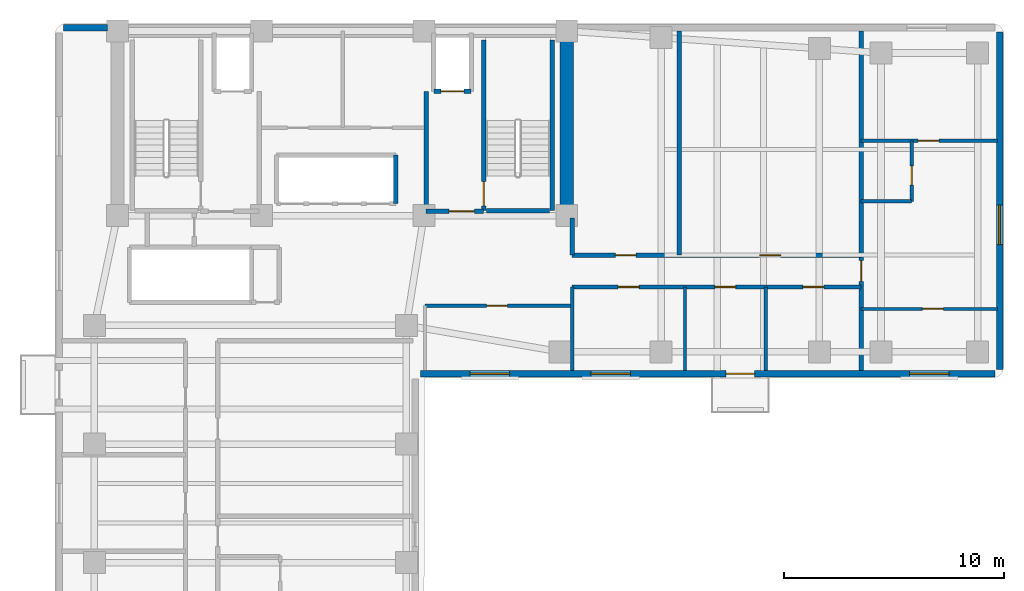
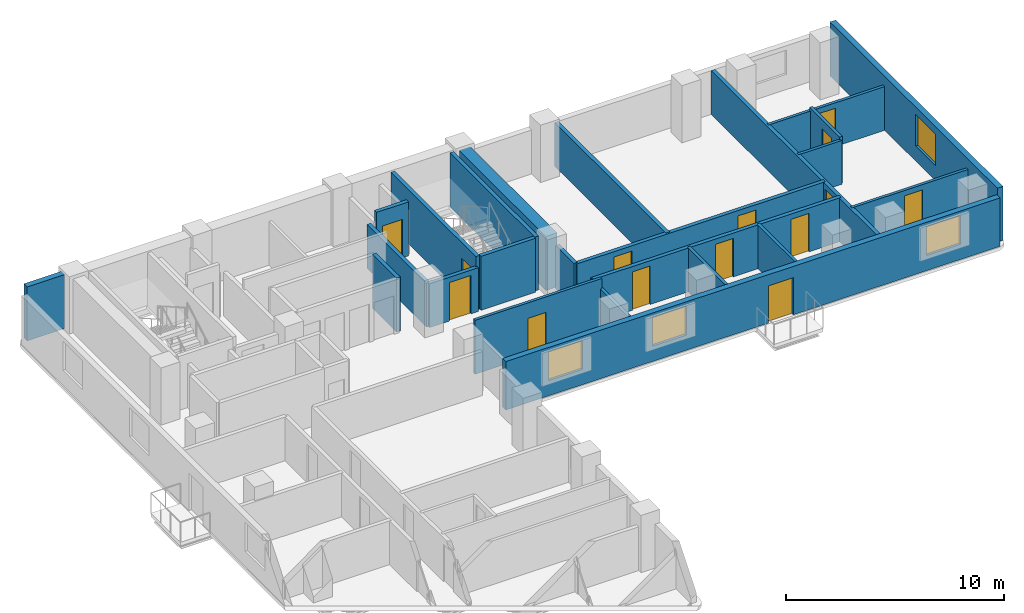
# One storey, part 4 of 7: 24 walls, 14 doors, 4 windows, 18 openings.
"""IFC4 building model written with IfcOpenShell, lengths in metres."""

from ifc_helpers import new_model, si_unit, direction, frame, frame_2d, origin, place, context, subcontext, project, spatial, rectangle, extrude, material, layer, layer_set, type_object, element, fill, save


model = new_model("IFC4")

# Units and contexts
model_context = context("Model", 3, precision=1e-05, world=origin(), true_north=direction((0.0, 1.0)))
body_context = subcontext(model_context, "Body", "Model", "MODEL_VIEW")
ifc_project = project(units=[si_unit("LENGTHUNIT", "METRE"), si_unit("AREAUNIT", "SQUARE_METRE"), si_unit("VOLUMEUNIT", "CUBIC_METRE"), si_unit("PLANEANGLEUNIT", "RADIAN"), si_unit("MASSUNIT", "GRAM", prefix="KILO")], contexts=[model_context])

# Site, building, storey
site_placement = place(None, origin())
site = spatial("IfcSite", under=ifc_project, at=site_placement, CompositionType="ELEMENT")
building_placement = place(site_placement, origin())
building = spatial("IfcBuilding", under=site, at=building_placement, Name="Kuzgunbayir Cultural Tower", CompositionType="ELEMENT")
storey_placement = place(building_placement, frame((0.0, 0.0, 129.800048828125)))
storey = spatial("IfcBuildingStorey", under=building, at=storey_placement, Name="L37", CompositionType="ELEMENT", Elevation=129.800048828125)

# Walls
ifc_material_1 = material(Name="Concrete C60/75", Category="concrete")
ifc_layer_1 = layer(ifc_material_1, 0.60009765625)
ifc_layer_set_1 = layer_set([ifc_layer_1], Name="Concrete C60/75")
wall_type_1 = type_object("IfcWallType", Name="WAL-CORE-600", PredefinedType="SHEAR", material=ifc_layer_set_1)
wall_1_placement = place(storey_placement, frame((26.89990234375, 33.800048828125, 0.0), z_axis=(0.0, 0.0, 1.0), x_axis=(0.0, 1.0, 0.0)))
element("IfcWall", 1, at=wall_1_placement, inside=storey, type_object=wall_type_1, Name="L37 T1 Core East Shear Wall", PredefinedType="SHEAR", context=body_context, shape_type="SweptSolid", body=[
    extrude(rectangle(XDim=7.949951171875, YDim=0.60009765625, at=frame_2d((3.97509765625, 0.0))), origin(), (0.0, 0.0, 1.0), 3.02001953125),
])
ifc_material_2 = material(Name="Anatolian Cream Limestone", Category="masonry")
ifc_layer_2 = layer(ifc_material_2, 0.300048828125)
ifc_layer_set_2 = layer_set([ifc_layer_2], Name="Anatolian Cream Limestone")
wall_type_2 = type_object("IfcWallType", Name="WAL-EXT-STONE-300", PredefinedType="STANDARD", material=ifc_layer_set_2)
wall_2_placement = place(storey_placement, frame((6.0, 42.35009765625, 0.0), z_axis=(0.0, 0.0, 1.0), x_axis=(-1.0, 0.0, 0.0)))
element("IfcWall", 2, at=wall_2_placement, inside=storey, type_object=wall_type_2, Name="L37 Core North-West Spandrel Link", PredefinedType="STANDARD", context=body_context, shape_type="SweptSolid", body=[
    extrude(rectangle(XDim=2.0, YDim=0.300048828125, at=frame_2d((1.0, 0.0))), origin(), (0.0, 0.0, 1.0), 3.02001953125),
])

# Wall, openings, door, windows
wall_3_placement = place(storey_placement, frame((20.25, 26.60009765625, 0.0), z_axis=(0.0, 0.0, 1.0), x_axis=(1.0, 0.0, 0.0)))
wall_3 = element("IfcWall", 3, at=wall_3_placement, inside=storey, type_object=wall_type_2, Name="L37 Wing B South Limestone Wall", PredefinedType="STANDARD", context=body_context, shape_type="SweptSolid", body=[
    extrude(rectangle(XDim=26.14990234375, YDim=0.300048828125, at=frame_2d((13.074951171875, 0.0))), origin(), (0.0, 0.0, 1.0), 2.7099609375),
])
opening_1_placement = place(wall_3_placement, frame((13.89990234375, 0.0, 0.0)))
opening_1 = element("IfcOpeningElement", 4, at=opening_1_placement, cuts=wall_3, Name="Opening BD-13", PredefinedType="OPENING", context=body_context, shape_type="SweptSolid", body=[
    extrude(rectangle(XDim=1.300048828125, YDim=2.080078125, at=frame_2d((0.64990234375, 1.0400390625))), frame((0.0, 0.16015625, 0.0), z_axis=(0.0, -1.0, 0.0), x_axis=(1.0, 0.0, 0.0)), (0.0, 0.0, 1.0), 0.320068359375),
])
opening_2_placement = place(wall_3_placement, frame((2.25, 0.0, 0.85009765625)))
opening_2 = element("IfcOpeningElement", 5, at=opening_2_placement, cuts=wall_3, Name="Opening WH-18", PredefinedType="OPENING", context=body_context, shape_type="SweptSolid", body=[
    extrude(rectangle(XDim=1.800048828125, YDim=1.610107421875, at=frame_2d((0.89990234375, 0.80517578125))), frame((0.0, 0.16015625, 0.0), z_axis=(0.0, -1.0, 0.0), x_axis=(1.0, 0.0, 0.0)), (0.0, 0.0, 1.0), 0.320068359375),
])
opening_3_placement = place(wall_3_placement, frame((7.75, 0.0, 0.85009765625)))
opening_3 = element("IfcOpeningElement", 6, at=opening_3_placement, cuts=wall_3, Name="Opening WH-18", PredefinedType="OPENING", context=body_context, shape_type="SweptSolid", body=[
    extrude(rectangle(XDim=1.800048828125, YDim=1.610107421875, at=frame_2d((0.89990234375, 0.80517578125))), frame((0.0, 0.16015625, 0.0), z_axis=(0.0, -1.0, 0.0), x_axis=(1.0, 0.0, 0.0)), (0.0, 0.0, 1.0), 0.320068359375),
])
opening_4_placement = place(wall_3_placement, frame((22.25, 0.0, 0.85009765625)))
opening_4 = element("IfcOpeningElement", 7, at=opening_4_placement, cuts=wall_3, Name="Opening WH-18", PredefinedType="OPENING", context=body_context, shape_type="SweptSolid", body=[
    extrude(rectangle(XDim=1.800048828125, YDim=1.610107421875, at=frame_2d((0.89990234375, 0.80517578125))), frame((0.0, 0.16015625, 0.0), z_axis=(0.0, -1.0, 0.0), x_axis=(1.0, 0.0, 0.0)), (0.0, 0.0, 1.0), 0.320068359375),
])
ifc_material_3 = material(Name="Thermally Broken Glazed Aluminium", Category="aluminium")
door_type_1 = type_object("IfcDoorType", Name="DR-BALCONY-135", OperationType="SLIDING_TO_LEFT", PredefinedType="DOOR", material=ifc_material_3)
door_1_placement = place(opening_1_placement, origin())
door_1 = element("IfcDoor", 8, at=door_1_placement, inside=storey, type_object=door_type_1, Name="L37 South Balcony Sliding Door BAL-L37-WB2", OperationType="SLIDING_TO_LEFT", OverallHeight=2.080078125, OverallWidth=1.300048828125, PredefinedType="DOOR", context=body_context, shape_type="SweptSolid", body=[
    extrude(rectangle(XDim=1.300048828125, YDim=2.080078125, at=frame_2d((0.64990234375, 1.0400390625))), frame((0.0, 0.02490234375, 0.0), z_axis=(0.0, -1.0, 0.0), x_axis=(1.0, 0.0, 0.0)), (0.0, 0.0, 1.0), 0.050048828125),
])
fill(opening_1, door_1)
ifc_material_4 = material(Name="Solar-Control Triple Glazing", Category="glass")
window_type = type_object("IfcWindowType", Name="WIN-HOTEL-18", PartitioningType="SINGLE_PANEL", PredefinedType="WINDOW", material=ifc_material_4)
window_1_placement = place(opening_2_placement, origin())
window_1 = element("IfcWindow", 9, at=window_1_placement, inside=storey, type_object=window_type, Name="L37 WBS Facade Window 10", OverallHeight=1.610107421875, OverallWidth=1.800048828125, PartitioningType="SINGLE_PANEL", PredefinedType="WINDOW", context=body_context, shape_type="SweptSolid", body=[
    extrude(rectangle(XDim=1.800048828125, YDim=1.610107421875, at=frame_2d((0.89990234375, 0.80517578125))), frame((0.0, 0.030029296875, 0.0), z_axis=(0.0, -1.0, 0.0), x_axis=(1.0, 0.0, 0.0)), (0.0, 0.0, 1.0), 0.06005859375),
])
fill(opening_2, window_1)
window_2_placement = place(opening_3_placement, origin())
window_2 = element("IfcWindow", 10, at=window_2_placement, inside=storey, type_object=window_type, Name="L37 WBS Facade Window 11", OverallHeight=1.610107421875, OverallWidth=1.800048828125, PartitioningType="SINGLE_PANEL", PredefinedType="WINDOW", context=body_context, shape_type="SweptSolid", body=[
    extrude(rectangle(XDim=1.800048828125, YDim=1.610107421875, at=frame_2d((0.89990234375, 0.80517578125))), frame((0.0, 0.030029296875, 0.0), z_axis=(0.0, -1.0, 0.0), x_axis=(1.0, 0.0, 0.0)), (0.0, 0.0, 1.0), 0.06005859375),
])
fill(opening_3, window_2)
window_3_placement = place(opening_4_placement, origin())
window_3 = element("IfcWindow", 11, at=window_3_placement, inside=storey, type_object=window_type, Name="L37 WBS Facade Window 12", OverallHeight=1.610107421875, OverallWidth=1.800048828125, PartitioningType="SINGLE_PANEL", PredefinedType="WINDOW", context=body_context, shape_type="SweptSolid", body=[
    extrude(rectangle(XDim=1.800048828125, YDim=1.610107421875, at=frame_2d((0.89990234375, 0.80517578125))), frame((0.0, 0.030029296875, 0.0), z_axis=(0.0, -1.0, 0.0), x_axis=(1.0, 0.0, 0.0)), (0.0, 0.0, 1.0), 0.06005859375),
])
fill(opening_4, window_3)

# Wall, opening, window
wall_4_placement = place(storey_placement, frame((46.60009765625, 26.800048828125, 0.0), z_axis=(0.0, 0.0, 1.0), x_axis=(0.0, 1.0, 0.0)))
wall_4 = element("IfcWall", 12, at=wall_4_placement, inside=storey, type_object=wall_type_2, Name="L37 Wing B East Limestone Wall", PredefinedType="STANDARD", context=body_context, shape_type="SweptSolid", body=[
    extrude(rectangle(XDim=15.349853515625, YDim=0.300048828125, at=frame_2d((7.6748046875, 0.0))), origin(), (0.0, 0.0, 1.0), 3.02001953125),
])
opening_5_placement = place(wall_4_placement, frame((5.679931640625, 0.0, 0.85009765625)))
opening_5 = element("IfcOpeningElement", 13, at=opening_5_placement, cuts=wall_4, Name="Opening WH-18", PredefinedType="OPENING", context=body_context, shape_type="SweptSolid", body=[
    extrude(rectangle(XDim=1.800048828125, YDim=1.75, at=frame_2d((0.89990234375, 0.875))), frame((0.0, 0.16015625, 0.0), z_axis=(0.0, -1.0, 0.0), x_axis=(1.0, 0.0, 0.0)), (0.0, 0.0, 1.0), 0.320068359375),
])
window_4_placement = place(opening_5_placement, origin())
window_4 = element("IfcWindow", 14, at=window_4_placement, inside=storey, type_object=window_type, Name="L37 WBE Facade Window 4", OverallHeight=1.75, OverallWidth=1.800048828125, PartitioningType="SINGLE_PANEL", PredefinedType="WINDOW", context=body_context, shape_type="SweptSolid", body=[
    extrude(rectangle(XDim=1.800048828125, YDim=1.75, at=frame_2d((0.89990234375, 0.875))), frame((0.0, 0.030029296875, 0.0), z_axis=(0.0, -1.0, 0.0), x_axis=(1.0, 0.0, 0.0)), (0.0, 0.0, 1.0), 0.06005859375),
])
fill(opening_5, window_4)

# Wall, opening, door
ifc_material_5 = material(Name="Acoustic Double-Stud Drywall", Category="gypsum")
ifc_layer_3 = layer(ifc_material_5, 0.14990234375)
ifc_layer_set_3 = layer_set([ifc_layer_3], Name="Acoustic Double-Stud Drywall")
wall_type_3 = type_object("IfcWallType", Name="WAL-PART-ACOUSTIC-150", PredefinedType="PARTITIONING", material=ifc_layer_set_3)
wall_5_placement = place(storey_placement, frame((20.449951171875, 29.699951171875, 0.0), z_axis=(0.0, 0.0, 1.0), x_axis=(1.0, 0.0, 0.0)))
wall_5 = element("IfcWall", 15, at=wall_5_placement, inside=storey, type_object=wall_type_3, Name="L37 Waist Alcove North Wall", PredefinedType="PARTITIONING", context=body_context, shape_type="SweptSolid", body=[
    extrude(rectangle(XDim=6.699951171875, YDim=0.14990234375, at=frame_2d((3.35009765625, 0.0))), origin(), (0.0, 0.0, 1.0), 3.02001953125),
])
opening_6_placement = place(wall_5_placement, frame((2.800048828125, 0.0, 0.0)))
opening_6 = element("IfcOpeningElement", 16, at=opening_6_placement, cuts=wall_5, Name="Opening DI-90", PredefinedType="OPENING", context=body_context, shape_type="SweptSolid", body=[
    extrude(rectangle(XDim=0.949951171875, YDim=2.14990234375, at=frame_2d((0.47509765625, 1.074951171875))), frame((0.0, 0.0849609375, 0.0), z_axis=(0.0, -1.0, 0.0), x_axis=(1.0, 0.0, 0.0)), (0.0, 0.0, 1.0), 0.169921875),
])
ifc_material_6 = material(Name="Veneered Oak Single Leaf", Category="wood")
door_type_2 = type_object("IfcDoorType", Name="DR-INT-90", OperationType="NOTDEFINED", PredefinedType="DOOR", material=ifc_material_6)
door_2_placement = place(opening_6_placement, origin())
door_2 = element("IfcDoor", 17, at=door_2_placement, inside=storey, type_object=door_type_2, Name="L37 Waist Alcove Door", OperationType="SINGLE_SWING_RIGHT", OverallHeight=2.14990234375, OverallWidth=0.949951171875, PredefinedType="DOOR", context=body_context, shape_type="SweptSolid", body=[
    extrude(rectangle(XDim=0.949951171875, YDim=2.14990234375, at=frame_2d((0.47509765625, 1.074951171875))), frame((0.0, 0.02490234375, 0.0), z_axis=(0.0, -1.0, 0.0), x_axis=(1.0, 0.0, 0.0)), (0.0, 0.0, 1.0), 0.050048828125),
])
fill(opening_6, door_2)

# Wall
wall_6_placement = place(storey_placement, frame((27.14990234375, 26.75, 0.0), z_axis=(0.0, 0.0, 1.0), x_axis=(0.0, 1.0, 0.0)))
element("IfcWall", 18, at=wall_6_placement, inside=storey, type_object=wall_type_3, Name="L37 Waist Alcove East Wall", PredefinedType="PARTITIONING", context=body_context, shape_type="SweptSolid", body=[
    extrude(rectangle(XDim=3.800048828125, YDim=0.14990234375, at=frame_2d((1.89990234375, 0.0))), origin(), (0.0, 0.0, 1.0), 2.449951171875),
])

# Wall, opening, door
wall_7_placement = place(storey_placement, frame((40.300048828125, 37.199951171875, 0.0), z_axis=(0.0, 0.0, 1.0), x_axis=(1.0, 0.0, 0.0)))
wall_7 = element("IfcWall", 19, at=wall_7_placement, inside=storey, type_object=wall_type_3, Name="L37 Corner Suite Bedroom Wall", PredefinedType="PARTITIONING", context=body_context, shape_type="SweptSolid", body=[
    extrude(rectangle(XDim=6.199951171875, YDim=0.14990234375, at=frame_2d((3.10009765625, 0.0))), origin(), (0.0, 0.0, 1.0), 2.449951171875),
])
opening_7_placement = place(wall_7_placement, frame((2.590087890625, 0.0, 0.0)))
opening_7 = element("IfcOpeningElement", 20, at=opening_7_placement, cuts=wall_7, Name="Opening DI-90", PredefinedType="OPENING", context=body_context, shape_type="SweptSolid", body=[
    extrude(rectangle(XDim=0.949951171875, YDim=2.14990234375, at=frame_2d((0.47509765625, 1.074951171875))), frame((0.0, 0.0849609375, 0.0), z_axis=(0.0, -1.0, 0.0), x_axis=(1.0, 0.0, 0.0)), (0.0, 0.0, 1.0), 0.169921875),
])
door_3_placement = place(opening_7_placement, origin())
door_3 = element("IfcDoor", 21, at=door_3_placement, inside=storey, type_object=door_type_2, Name="L37 Corner Bedroom Door", OperationType="SINGLE_SWING_RIGHT", OverallHeight=2.14990234375, OverallWidth=0.949951171875, PredefinedType="DOOR", context=body_context, shape_type="SweptSolid", body=[
    extrude(rectangle(XDim=0.949951171875, YDim=2.14990234375, at=frame_2d((0.47509765625, 1.074951171875))), frame((0.0, 0.02490234375, 0.0), z_axis=(0.0, -1.0, 0.0), x_axis=(1.0, 0.0, 0.0)), (0.0, 0.0, 1.0), 0.050048828125),
])
fill(opening_7, door_3)

# Walls
for number, where, z_axis, x_axis, name in (
    (22, (32.280029296875, 26.75, 0.0), (0.0, 0.0, 1.0), (0.0, 1.0, 0.0), "L37 Wing B South Divider 1"),
    (23, (35.9599609375, 26.75, 0.0), (0.0, 0.0, 1.0), (0.0, 1.0, 0.0), "L37 Wing B South Divider 2"),
):
    element("IfcWall", number, at=place(storey_placement, frame(where, z_axis=z_axis, x_axis=x_axis)), inside=storey, type_object=wall_type_3, Name=name, PredefinedType="PARTITIONING", context=body_context, shape_type="SweptSolid", body=[
        extrude(rectangle(XDim=3.800048828125, YDim=0.14990234375, at=frame_2d((1.89990234375, 0.0))), origin(), (0.0, 0.0, 1.0), 2.449951171875),
    ])
ifc_material_7 = material(Name="Aerated Concrete Blockwork", Category="masonry")
ifc_layer_4 = layer(ifc_material_7, 0.199951171875)
ifc_layer_set_4 = layer_set([ifc_layer_4], Name="Aerated Concrete Blockwork")
wall_type_4 = type_object("IfcWallType", Name="WAL-PART-FIRE-200", PredefinedType="PARTITIONING", material=ifc_layer_set_4)
wall_8_placement = place(storey_placement, frame((20.5, 34.0, 0.0), z_axis=(0.0, 0.0, 1.0), x_axis=(0.0, 1.0, 0.0)))
element("IfcWall", 24, at=wall_8_placement, inside=storey, type_object=wall_type_4, Name="L37 FFL-2 Lobby West Fire Wall", PredefinedType="PARTITIONING", context=body_context, shape_type="SweptSolid", body=[
    extrude(rectangle(XDim=5.449951171875, YDim=0.199951171875, at=frame_2d((2.72509765625, 0.0))), origin(), (0.0, 0.0, 1.0), 2.449951171875),
])

# Wall, opening, door
wall_9_placement = place(storey_placement, frame((20.5, 34.0, 0.0), z_axis=(0.0, 0.0, 1.0), x_axis=(1.0, 0.0, 0.0)))
wall_9 = element("IfcWall", 25, at=wall_9_placement, inside=storey, type_object=wall_type_4, Name="L37 FFL-2 Lobby South Fire Wall", PredefinedType="PARTITIONING", context=body_context, shape_type="SweptSolid", body=[
    extrude(rectangle(XDim=2.60009765625, YDim=0.199951171875, at=frame_2d((1.300048828125, 0.0))), origin(), (0.0, 0.0, 1.0), 2.449951171875),
])
opening_8_placement = place(wall_9_placement, frame((1.050048828125, 0.0, 0.0)))
opening_8 = element("IfcOpeningElement", 26, at=opening_8_placement, cuts=wall_9, Name="Opening DR-FFL-90", PredefinedType="OPENING", context=body_context, shape_type="SweptSolid", body=[
    extrude(rectangle(XDim=1.14990234375, YDim=2.14990234375, at=frame_2d((0.574951171875, 1.074951171875))), frame((0.0, 0.10986328125, 0.0), z_axis=(0.0, -1.0, 0.0), x_axis=(1.0, 0.0, 0.0)), (0.0, 0.0, 1.0), 0.219970703125),
])
ifc_material_8 = material(Name="Steel S355J2", Category="steel")
door_type_3 = type_object("IfcDoorType", Name="DR-FFL-90", OperationType="NOTDEFINED", PredefinedType="DOOR", material=ifc_material_8)
door_4_placement = place(opening_8_placement, origin())
door_4 = element("IfcDoor", 27, at=door_4_placement, inside=storey, type_object=door_type_3, Name="L37 Firefighting Lobby 2 Door", OperationType="SINGLE_SWING_RIGHT", OverallHeight=2.14990234375, OverallWidth=1.14990234375, PredefinedType="DOOR", context=body_context, shape_type="SweptSolid", body=[
    extrude(rectangle(XDim=1.14990234375, YDim=2.14990234375, at=frame_2d((0.574951171875, 1.074951171875))), frame((0.0, 0.02490234375, 0.0), z_axis=(0.0, -1.0, 0.0), x_axis=(1.0, 0.0, 0.0)), (0.0, 0.0, 1.0), 0.050048828125),
])
fill(opening_8, door_4)

# Wall, openings, doors
wall_10_placement = place(storey_placement, frame((27.14990234375, 30.550048828125, 0.0), z_axis=(0.0, 0.0, 1.0), x_axis=(1.0, 0.0, 0.0)))
wall_10 = element("IfcWall", 28, at=wall_10_placement, inside=storey, type_object=wall_type_4, Name="L37 Wing B Hotel Corridor South Wall", PredefinedType="PARTITIONING", context=body_context, shape_type="SweptSolid", body=[
    extrude(rectangle(XDim=13.150146484375, YDim=0.199951171875, at=frame_2d((6.5751953125, 0.0))), origin(), (0.0, 0.0, 1.0), 2.449951171875),
])
opening_9_placement = place(wall_10_placement, frame((2.090087890625, 0.0, 0.0)))
opening_9 = element("IfcOpeningElement", 29, at=opening_9_placement, cuts=wall_10, Name="Opening DI-90", PredefinedType="OPENING", context=body_context, shape_type="SweptSolid", body=[
    extrude(rectangle(XDim=0.949951171875, YDim=2.14990234375, at=frame_2d((0.47509765625, 1.074951171875))), frame((0.0, 0.10986328125, 0.0), z_axis=(0.0, -1.0, 0.0), x_axis=(1.0, 0.0, 0.0)), (0.0, 0.0, 1.0), 0.219970703125),
])
opening_10_placement = place(wall_10_placement, frame((6.489990234375, 0.0, 0.0)))
opening_10 = element("IfcOpeningElement", 30, at=opening_10_placement, cuts=wall_10, Name="Opening DI-90", PredefinedType="OPENING", context=body_context, shape_type="SweptSolid", body=[
    extrude(rectangle(XDim=0.949951171875, YDim=2.14990234375, at=frame_2d((0.47509765625, 1.074951171875))), frame((0.0, 0.10986328125, 0.0), z_axis=(0.0, -1.0, 0.0), x_axis=(1.0, 0.0, 0.0)), (0.0, 0.0, 1.0), 0.219970703125),
])
opening_11_placement = place(wall_10_placement, frame((10.5, 0.0, 0.0)))
opening_11 = element("IfcOpeningElement", 31, at=opening_11_placement, cuts=wall_10, Name="Opening DI-90", PredefinedType="OPENING", context=body_context, shape_type="SweptSolid", body=[
    extrude(rectangle(XDim=0.949951171875, YDim=2.14990234375, at=frame_2d((0.47509765625, 1.074951171875))), frame((0.0, 0.10986328125, 0.0), z_axis=(0.0, -1.0, 0.0), x_axis=(1.0, 0.0, 0.0)), (0.0, 0.0, 1.0), 0.219970703125),
])
door_5_placement = place(opening_9_placement, origin())
door_5 = element("IfcDoor", 32, at=door_5_placement, inside=storey, type_object=door_type_2, Name="L37 Seminar Boardroom B1 Door", OperationType="SINGLE_SWING_LEFT", OverallHeight=2.14990234375, OverallWidth=0.949951171875, PredefinedType="DOOR", context=body_context, shape_type="SweptSolid", body=[
    extrude(rectangle(XDim=0.949951171875, YDim=2.14990234375, at=frame_2d((0.47509765625, 1.074951171875))), frame((0.0, 0.02490234375, 0.0), z_axis=(0.0, -1.0, 0.0), x_axis=(1.0, 0.0, 0.0)), (0.0, 0.0, 1.0), 0.050048828125),
])
fill(opening_9, door_5)
door_6_placement = place(opening_10_placement, origin())
door_6 = element("IfcDoor", 33, at=door_6_placement, inside=storey, type_object=door_type_2, Name="L37 Seminar Boardroom B2 Door", OperationType="SINGLE_SWING_RIGHT", OverallHeight=2.14990234375, OverallWidth=0.949951171875, PredefinedType="DOOR", context=body_context, shape_type="SweptSolid", body=[
    extrude(rectangle(XDim=0.949951171875, YDim=2.14990234375, at=frame_2d((0.47509765625, 1.074951171875))), frame((0.0, 0.02490234375, 0.0), z_axis=(0.0, -1.0, 0.0), x_axis=(1.0, 0.0, 0.0)), (0.0, 0.0, 1.0), 0.050048828125),
])
fill(opening_10, door_6)
door_7_placement = place(opening_11_placement, origin())
door_7 = element("IfcDoor", 34, at=door_7_placement, inside=storey, type_object=door_type_2, Name="L37 Seminar Boardroom B3 Door", OperationType="SINGLE_SWING_LEFT", OverallHeight=2.14990234375, OverallWidth=0.949951171875, PredefinedType="DOOR", context=body_context, shape_type="SweptSolid", body=[
    extrude(rectangle(XDim=0.949951171875, YDim=2.14990234375, at=frame_2d((0.47509765625, 1.074951171875))), frame((0.0, 0.02490234375, 0.0), z_axis=(0.0, -1.0, 0.0), x_axis=(1.0, 0.0, 0.0)), (0.0, 0.0, 1.0), 0.050048828125),
])
fill(opening_11, door_7)

wall_11_placement = place(storey_placement, frame((27.14990234375, 32.0, 0.0), z_axis=(0.0, 0.0, 1.0), x_axis=(1.0, 0.0, 0.0)))
wall_11 = element("IfcWall", 35, at=wall_11_placement, inside=storey, type_object=wall_type_4, Name="L37 Wing B Hotel Corridor North Wall", PredefinedType="PARTITIONING", context=body_context, shape_type="SweptSolid", body=[
    extrude(rectangle(XDim=13.150146484375, YDim=0.199951171875, at=frame_2d((6.5751953125, 0.0))), origin(), (0.0, 0.0, 1.0), 2.449951171875),
])
opening_12_placement = place(wall_11_placement, frame((1.9599609375, 0.0, 0.0)))
opening_12 = element("IfcOpeningElement", 36, at=opening_12_placement, cuts=wall_11, Name="Opening DI-90", PredefinedType="OPENING", context=body_context, shape_type="SweptSolid", body=[
    extrude(rectangle(XDim=0.949951171875, YDim=2.14990234375, at=frame_2d((0.47509765625, 1.074951171875))), frame((0.0, 0.10986328125, 0.0), z_axis=(0.0, -1.0, 0.0), x_axis=(1.0, 0.0, 0.0)), (0.0, 0.0, 1.0), 0.219970703125),
])
opening_13_placement = place(wall_11_placement, frame((8.530029296875, 0.0, 0.0)))
opening_13 = element("IfcOpeningElement", 37, at=opening_13_placement, cuts=wall_11, Name="Opening DI-90", PredefinedType="OPENING", context=body_context, shape_type="SweptSolid", body=[
    extrude(rectangle(XDim=0.949951171875, YDim=2.14990234375, at=frame_2d((0.47509765625, 1.074951171875))), frame((0.0, 0.10986328125, 0.0), z_axis=(0.0, -1.0, 0.0), x_axis=(1.0, 0.0, 0.0)), (0.0, 0.0, 1.0), 0.219970703125),
])
door_8_placement = place(opening_12_placement, origin())
door_8 = element("IfcDoor", 38, at=door_8_placement, inside=storey, type_object=door_type_2, Name="L37 North Seminar Boardroom 1 Door", OperationType="SINGLE_SWING_RIGHT", OverallHeight=2.14990234375, OverallWidth=0.949951171875, PredefinedType="DOOR", context=body_context, shape_type="SweptSolid", body=[
    extrude(rectangle(XDim=0.949951171875, YDim=2.14990234375, at=frame_2d((0.47509765625, 1.074951171875))), frame((0.0, 0.02490234375, 0.0), z_axis=(0.0, -1.0, 0.0), x_axis=(1.0, 0.0, 0.0)), (0.0, 0.0, 1.0), 0.050048828125),
])
fill(opening_12, door_8)
door_9_placement = place(opening_13_placement, origin())
door_9 = element("IfcDoor", 39, at=door_9_placement, inside=storey, type_object=door_type_2, Name="L37 North Culinary Tasting Pantry 2 Door", OperationType="SINGLE_SWING_LEFT", OverallHeight=2.14990234375, OverallWidth=0.949951171875, PredefinedType="DOOR", context=body_context, shape_type="SweptSolid", body=[
    extrude(rectangle(XDim=0.949951171875, YDim=2.14990234375, at=frame_2d((0.47509765625, 1.074951171875))), frame((0.0, 0.02490234375, 0.0), z_axis=(0.0, -1.0, 0.0), x_axis=(1.0, 0.0, 0.0)), (0.0, 0.0, 1.0), 0.050048828125),
])
fill(opening_13, door_9)

# Wall
wall_12_placement = place(storey_placement, frame((27.14990234375, 32.0, 0.0), z_axis=(0.0, 0.0, 1.0), x_axis=(0.0, 1.0, 0.0)))
element("IfcWall", 40, at=wall_12_placement, inside=storey, type_object=wall_type_4, Name="L37 Wing B North Core Closure Wall", PredefinedType="PARTITIONING", context=body_context, shape_type="SweptSolid", body=[
    extrude(rectangle(XDim=1.679931640625, YDim=0.199951171875, at=frame_2d((0.83984375, 0.0))), origin(), (0.0, 0.0, 1.0), 2.449951171875),
])

# Wall, opening, door
wall_13_placement = place(storey_placement, frame((40.300048828125, 26.75, 0.0), z_axis=(0.0, 0.0, 1.0), x_axis=(0.0, 1.0, 0.0)))
wall_13 = element("IfcWall", 41, at=wall_13_placement, inside=storey, type_object=wall_type_4, Name="L37 Wing B East Suite Wall", PredefinedType="PARTITIONING", context=body_context, shape_type="SweptSolid", body=[
    extrude(rectangle(XDim=15.449951171875, YDim=0.199951171875, at=frame_2d((7.72509765625, 0.0))), origin(), (0.0, 0.0, 1.0), 2.449951171875),
])
opening_14_placement = place(wall_13_placement, frame((4.050048828125, 0.0, 0.0)))
opening_14 = element("IfcOpeningElement", 42, at=opening_14_placement, cuts=wall_13, Name="Opening DR-APT-60", PredefinedType="OPENING", context=body_context, shape_type="SweptSolid", body=[
    extrude(rectangle(XDim=0.949951171875, YDim=2.14990234375, at=frame_2d((0.47509765625, 1.074951171875))), frame((0.0, 0.10986328125, 0.0), z_axis=(0.0, -1.0, 0.0), x_axis=(1.0, 0.0, 0.0)), (0.0, 0.0, 1.0), 0.219970703125),
])
ifc_material_9 = material(Name="Acoustic Fire Timber Leaf", Category="wood")
door_type_4 = type_object("IfcDoorType", Name="DR-APT-60", OperationType="NOTDEFINED", PredefinedType="DOOR", material=ifc_material_9)
door_10_placement = place(opening_14_placement, origin())
door_10 = element("IfcDoor", 43, at=door_10_placement, inside=storey, type_object=door_type_4, Name="L37 Corner Suite Entrance", OperationType="SINGLE_SWING_LEFT", OverallHeight=2.14990234375, OverallWidth=0.949951171875, PredefinedType="DOOR", context=body_context, shape_type="SweptSolid", body=[
    extrude(rectangle(XDim=0.949951171875, YDim=2.14990234375, at=frame_2d((0.47509765625, 1.074951171875))), frame((0.0, 0.02490234375, 0.0), z_axis=(0.0, -1.0, 0.0), x_axis=(1.0, 0.0, 0.0)), (0.0, 0.0, 1.0), 0.050048828125),
])
fill(opening_14, door_10)

# Wall
wall_14_placement = place(storey_placement, frame((32.02001953125, 32.0, 0.0), z_axis=(0.0, 0.0, 1.0), x_axis=(0.0, 1.0, 0.0)))
element("IfcWall", 44, at=wall_14_placement, inside=storey, type_object=wall_type_4, Name="L37 Wing B North Party Wall 1", PredefinedType="PARTITIONING", context=body_context, shape_type="SweptSolid", body=[
    extrude(rectangle(XDim=10.199951171875, YDim=0.199951171875, at=frame_2d((5.10009765625, 0.0))), origin(), (0.0, 0.0, 1.0), 2.449951171875),
])

# Wall, opening, door
ifc_material_10 = material(Name="Moisture-Resistant Tile Partition", Category="gypsum")
ifc_layer_5 = layer(ifc_material_10, 0.14990234375)
ifc_layer_set_5 = layer_set([ifc_layer_5], Name="Moisture-Resistant Tile Partition")
wall_type_5 = type_object("IfcWallType", Name="WAL-PART-WET-150", PredefinedType="PARTITIONING", material=ifc_layer_set_5)
wall_15_placement = place(storey_placement, frame((40.300048828125, 29.550048828125, 0.0), z_axis=(0.0, 0.0, 1.0), x_axis=(1.0, 0.0, 0.0)))
wall_15 = element("IfcWall", 45, at=wall_15_placement, inside=storey, type_object=wall_type_5, Name="L37 Corner Suite Kitchen Wall", PredefinedType="PARTITIONING", context=body_context, shape_type="SweptSolid", body=[
    extrude(rectangle(XDim=6.199951171875, YDim=0.14990234375, at=frame_2d((3.10009765625, 0.0))), origin(), (0.0, 0.0, 1.0), 2.449951171875),
])
opening_15_placement = place(wall_15_placement, frame((2.7900390625, 0.0, 0.0)))
opening_15 = element("IfcOpeningElement", 46, at=opening_15_placement, cuts=wall_15, Name="Opening DI-90", PredefinedType="OPENING", context=body_context, shape_type="SweptSolid", body=[
    extrude(rectangle(XDim=0.949951171875, YDim=2.14990234375, at=frame_2d((0.47509765625, 1.074951171875))), frame((0.0, 0.0849609375, 0.0), z_axis=(0.0, -1.0, 0.0), x_axis=(1.0, 0.0, 0.0)), (0.0, 0.0, 1.0), 0.169921875),
])
door_11_placement = place(opening_15_placement, origin())
door_11 = element("IfcDoor", 47, at=door_11_placement, inside=storey, type_object=door_type_2, Name="L37 Corner Suite Kitchen Door", OperationType="SINGLE_SWING_RIGHT", OverallHeight=2.14990234375, OverallWidth=0.949951171875, PredefinedType="DOOR", context=body_context, shape_type="SweptSolid", body=[
    extrude(rectangle(XDim=0.949951171875, YDim=2.14990234375, at=frame_2d((0.47509765625, 1.074951171875))), frame((0.0, 0.02490234375, 0.0), z_axis=(0.0, -1.0, 0.0), x_axis=(1.0, 0.0, 0.0)), (0.0, 0.0, 1.0), 0.050048828125),
])
fill(opening_15, door_11)

# Wall
wall_16_placement = place(storey_placement, frame((40.300048828125, 34.449951171875, 0.0), z_axis=(0.0, 0.0, 1.0), x_axis=(1.0, 0.0, 0.0)))
element("IfcWall", 48, at=wall_16_placement, inside=storey, type_object=wall_type_5, Name="L37 Corner Suite Bath South Wall", PredefinedType="PARTITIONING", context=body_context, shape_type="SweptSolid", body=[
    extrude(rectangle(XDim=2.300048828125, YDim=0.14990234375, at=frame_2d((1.14990234375, 0.0))), origin(), (0.0, 0.0, 1.0), 2.449951171875),
])

# Wall, opening, door
wall_17_placement = place(storey_placement, frame((42.60009765625, 34.449951171875, 0.0), z_axis=(0.0, 0.0, 1.0), x_axis=(0.0, 1.0, 0.0)))
wall_17 = element("IfcWall", 49, at=wall_17_placement, inside=storey, type_object=wall_type_5, Name="L37 Corner Suite Bath East Wall", PredefinedType="PARTITIONING", context=body_context, shape_type="SweptSolid", body=[
    extrude(rectangle(XDim=2.75, YDim=0.14990234375, at=frame_2d((1.375, 0.0))), origin(), (0.0, 0.0, 1.0), 2.60986328125),
])
opening_16_placement = place(wall_17_placement, frame((0.75, 0.0, 0.0)))
opening_16 = element("IfcOpeningElement", 50, at=opening_16_placement, cuts=wall_17, Name="Opening DW-85", PredefinedType="OPENING", context=body_context, shape_type="SweptSolid", body=[
    extrude(rectangle(XDim=0.85009765625, YDim=2.10009765625, at=frame_2d((0.425048828125, 1.050048828125))), frame((0.0, 0.0849609375, 0.0), z_axis=(0.0, -1.0, 0.0), x_axis=(1.0, 0.0, 0.0)), (0.0, 0.0, 1.0), 0.169921875),
])
ifc_material_11 = material(Name="Laminate Moisture-Resistant Leaf", Category="wood")
door_type_5 = type_object("IfcDoorType", Name="DR-WET-85", OperationType="NOTDEFINED", PredefinedType="DOOR", material=ifc_material_11)
door_12_placement = place(opening_16_placement, origin())
door_12 = element("IfcDoor", 51, at=door_12_placement, inside=storey, type_object=door_type_5, Name="L37 Corner Suite Bathroom Door", OperationType="SINGLE_SWING_LEFT", OverallHeight=2.10009765625, OverallWidth=0.85009765625, PredefinedType="DOOR", context=body_context, shape_type="SweptSolid", body=[
    extrude(rectangle(XDim=0.85009765625, YDim=2.10009765625, at=frame_2d((0.425048828125, 1.050048828125))), frame((0.0, 0.02490234375, 0.0), z_axis=(0.0, -1.0, 0.0), x_axis=(1.0, 0.0, 0.0)), (0.0, 0.0, 1.0), 0.050048828125),
])
fill(opening_16, door_12)

ifc_material_12 = material(Name="Concrete C40/50", Category="concrete")
ifc_layer_6 = layer(ifc_material_12, 0.199951171875)
ifc_layer_set_6 = layer_set([ifc_layer_6], Name="Concrete C40/50")
wall_type_6 = type_object("IfcWallType", Name="WAL-SHAFT-200", PredefinedType="MOVABLE", material=ifc_layer_set_6)
wall_18_placement = place(storey_placement, frame((20.85009765625, 39.449951171875, 0.0), z_axis=(0.0, 0.0, 1.0), x_axis=(1.0, 0.0, 0.0)))
wall_18 = element("IfcWall", 52, at=wall_18_placement, inside=storey, type_object=wall_type_6, Name="L37 FFL-2 Lift Front Wall", PredefinedType="MOVABLE", context=body_context, shape_type="SweptSolid", body=[
    extrude(rectangle(XDim=1.699951171875, YDim=0.199951171875, at=frame_2d((0.85009765625, 0.0))), origin(), (0.0, 0.0, 1.0), 3.02001953125),
])
opening_17_placement = place(wall_18_placement, frame((0.320068359375, 0.0, 0.0)))
opening_17 = element("IfcOpeningElement", 53, at=opening_17_placement, cuts=wall_18, Name="Opening LD", PredefinedType="OPENING", context=body_context, shape_type="SweptSolid", body=[
    extrude(rectangle(XDim=1.050048828125, YDim=2.14990234375, at=frame_2d((0.52490234375, 1.074951171875))), frame((0.0, 0.10986328125, 0.0), z_axis=(0.0, -1.0, 0.0), x_axis=(1.0, 0.0, 0.0)), (0.0, 0.0, 1.0), 0.219970703125),
])
ifc_material_13 = material(Name="Brushed Stainless Steel", Category="steel")
door_type_6 = type_object("IfcDoorType", Name="DR-LIFT-LANDING", OperationType="SLIDING_TO_LEFT", PredefinedType="DOOR", material=ifc_material_13)
door_13_placement = place(opening_17_placement, origin())
door_13 = element("IfcDoor", 54, at=door_13_placement, inside=storey, type_object=door_type_6, Name="L37 Lift FFL-2 Landing Door", OperationType="SLIDING_TO_LEFT", OverallHeight=2.14990234375, OverallWidth=1.050048828125, PredefinedType="DOOR", context=body_context, shape_type="SweptSolid", body=[
    extrude(rectangle(XDim=1.050048828125, YDim=2.14990234375, at=frame_2d((0.52490234375, 1.074951171875))), frame((0.0, 0.02490234375, 0.0), z_axis=(0.0, -1.0, 0.0), x_axis=(1.0, 0.0, 0.0)), (0.0, 0.0, 1.0), 0.050048828125),
])
fill(opening_17, door_13)

# Wall
wall_19_placement = place(storey_placement, frame((19.1201171875, 34.35009765625, 0.0), z_axis=(0.0, 0.0, 1.0), x_axis=(0.0, 1.0, 0.0)))
element("IfcWall", 55, at=wall_19_placement, inside=storey, type_object=wall_type_6, Name="L37 Mid-Rise Lift Shaft East Wall", PredefinedType="MOVABLE", context=body_context, shape_type="SweptSolid", body=[
    extrude(rectangle(XDim=2.199951171875, YDim=0.199951171875, at=frame_2d((1.10009765625, 0.0))), origin(), (0.0, 0.0, 1.0), 3.02001953125),
])

# Wall, opening, door
ifc_layer_7 = layer(ifc_material_12, 0.199951171875)
ifc_layer_set_7 = layer_set([ifc_layer_7], Name="Concrete C40/50")
wall_type_7 = type_object("IfcWallType", Name="WAL-STAIR-RC-200", PredefinedType="SHEAR", material=ifc_layer_set_7)
wall_20_placement = place(storey_placement, frame((23.1201171875, 34.02001953125, 0.0), z_axis=(0.0, 0.0, 1.0), x_axis=(0.0, 1.0, 0.0)))
wall_20 = element("IfcWall", 56, at=wall_20_placement, inside=storey, type_object=wall_type_7, Name="L37 Stair ST-2 West Structural Wall", PredefinedType="SHEAR", context=body_context, shape_type="SweptSolid", body=[
    extrude(rectangle(XDim=7.780029296875, YDim=0.199951171875, at=frame_2d((3.89013671875, 0.0))), origin(), (0.0, 0.0, 1.0), 3.02001953125),
])
opening_18_placement = place(wall_20_placement, frame((0.219970703125, 0.0, 0.0)))
opening_18 = element("IfcOpeningElement", 57, at=opening_18_placement, cuts=wall_20, Name="Opening DR-STAIR-90", PredefinedType="OPENING", context=body_context, shape_type="SweptSolid", body=[
    extrude(rectangle(XDim=1.10009765625, YDim=2.14990234375, at=frame_2d((0.550048828125, 1.074951171875))), frame((0.0, 0.10986328125, 0.0), z_axis=(0.0, -1.0, 0.0), x_axis=(1.0, 0.0, 0.0)), (0.0, 0.0, 1.0), 0.219970703125),
])
door_type_7 = type_object("IfcDoorType", Name="DR-STAIR-90", OperationType="NOTDEFINED", PredefinedType="DOOR", material=ifc_material_8)
door_14_placement = place(opening_18_placement, origin())
door_14 = element("IfcDoor", 58, at=door_14_placement, inside=storey, type_object=door_type_7, Name="L37 Stair ST-2 Fire Door", OperationType="SINGLE_SWING_LEFT", OverallHeight=2.14990234375, OverallWidth=1.10009765625, PredefinedType="DOOR", context=body_context, shape_type="SweptSolid", body=[
    extrude(rectangle(XDim=1.10009765625, YDim=2.14990234375, at=frame_2d((0.550048828125, 1.074951171875))), frame((0.0, 0.02490234375, 0.0), z_axis=(0.0, -1.0, 0.0), x_axis=(1.0, 0.0, 0.0)), (0.0, 0.0, 1.0), 0.050048828125),
])
fill(opening_18, door_14)

# Walls
wall_21_placement = place(storey_placement, frame((26.239990234375, 34.02001953125, 0.0), z_axis=(0.0, 0.0, 1.0), x_axis=(0.0, 1.0, 0.0)))
element("IfcWall", 59, at=wall_21_placement, inside=storey, type_object=wall_type_7, Name="L37 Stair ST-2 East Structural Wall", PredefinedType="SHEAR", context=body_context, shape_type="SweptSolid", body=[
    extrude(rectangle(XDim=7.780029296875, YDim=0.199951171875, at=frame_2d((3.89013671875, 0.0))), origin(), (0.0, 0.0, 1.0), 3.02001953125),
])
wall_22_placement = place(storey_placement, frame((23.239990234375, 34.02001953125, 0.0), z_axis=(0.0, 0.0, 1.0), x_axis=(1.0, 0.0, 0.0)))
element("IfcWall", 60, at=wall_22_placement, inside=storey, type_object=wall_type_7, Name="L37 Stair ST-2 South Structural Wall", PredefinedType="SHEAR", context=body_context, shape_type="SweptSolid", body=[
    extrude(rectangle(XDim=2.880126953125, YDim=0.199951171875, at=frame_2d((1.43994140625, 0.0))), origin(), (0.0, 0.0, 1.0), 3.02001953125),
])

save(model, "model.ifc")
